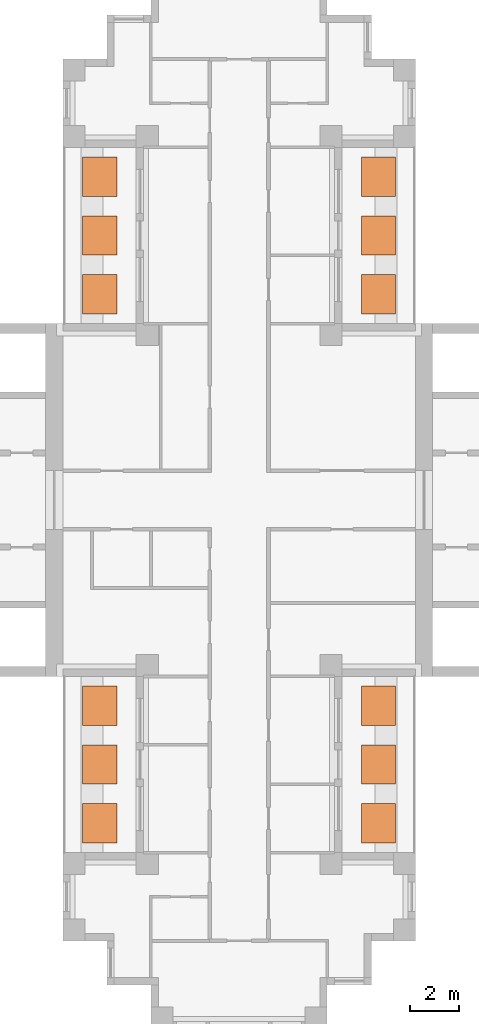
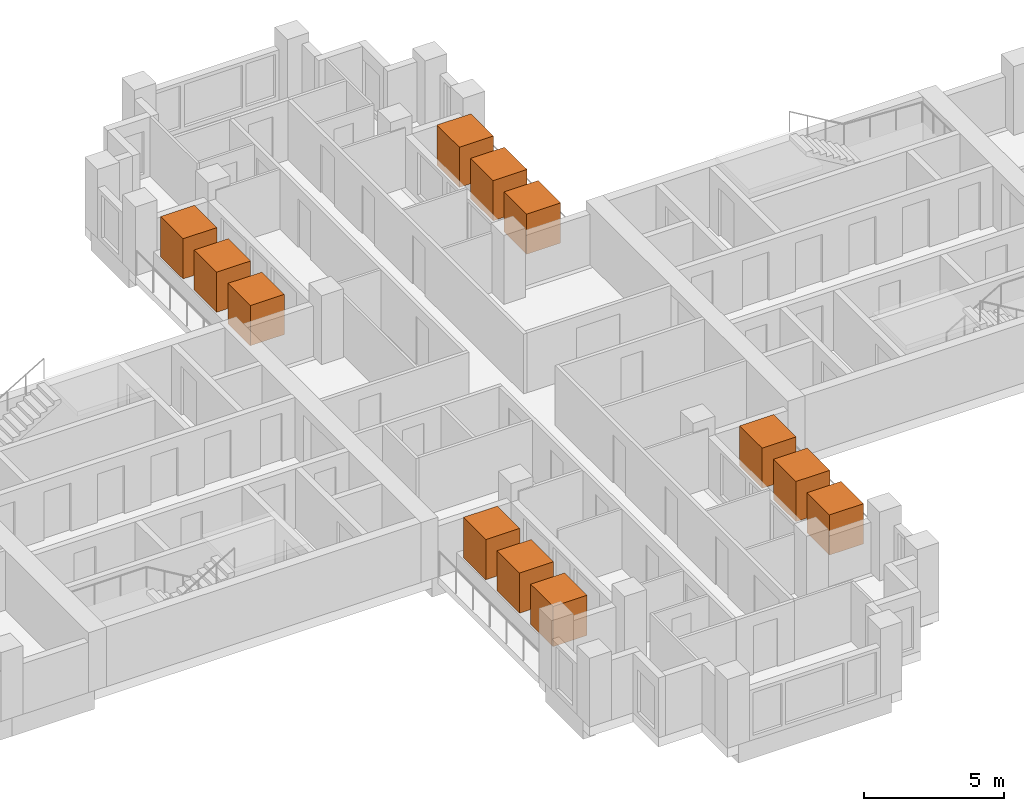
# One storey, part 11 of 11: 12 geographic elements.
"""IFC4 building model written with IfcOpenShell, lengths in metres."""

from ifc_helpers import new_model, si_unit, direction, frame, origin, origin_2d, place, context, subcontext, project, spatial, rectangle, extrude, material, element, save


model = new_model("IFC4")

# Units and contexts
model_context = context("Model", 3, precision=1e-05, world=origin(), true_north=direction((0.0, 1.0)))
body_context = subcontext(model_context, "Body", "Model", "MODEL_VIEW")
ifc_project = project(units=[si_unit("LENGTHUNIT", "METRE"), si_unit("AREAUNIT", "SQUARE_METRE"), si_unit("VOLUMEUNIT", "CUBIC_METRE"), si_unit("PLANEANGLEUNIT", "RADIAN"), si_unit("MASSUNIT", "GRAM", prefix="KILO")], contexts=[model_context])

# Site, building, storey
site_placement = place(None, origin())
site = spatial("IfcSite", under=ifc_project, at=site_placement, CompositionType="ELEMENT")
building_placement = place(site_placement, origin())
building = spatial("IfcBuilding", under=site, at=building_placement, Name="Fustian Cross Tower", CompositionType="ELEMENT")
storey_placement = place(building_placement, frame((0.0, 0.0, 170.699951171875)))
storey = spatial("IfcBuildingStorey", under=building, at=storey_placement, Name="L53", CompositionType="ELEMENT", Elevation=170.699951171875)

# Geographic elements
ifc_material = material(Name="Evergreen foliage")
for number, where, z_axis, x_axis, name in (
    (1, (5.68994140625, 8.39990234375, 0.800048828125), (0.0, 0.0, 1.0), (1.0, 0.0, 0.0), "TREE field maple"),
    (2, (5.68994140625, 10.800048828125, 0.800048828125), (0.0, 0.0, 1.0), (1.0, 0.0, 0.0), "TREE field maple"),
    (3, (5.68994140625, 13.199951171875, 0.800048828125), (0.0, 0.0, 1.0), (1.0, 0.0, 0.0), "TREE field maple"),
    (4, (-5.68994140625, 8.39990234375, 0.800048828125), (0.0, 0.0, 1.0), (1.0, 0.0, 0.0), "TREE field maple"),
    (5, (-5.68994140625, 10.800048828125, 0.800048828125), (0.0, 0.0, 1.0), (1.0, 0.0, 0.0), "TREE field maple"),
    (6, (-5.68994140625, 13.199951171875, 0.800048828125), (0.0, 0.0, 1.0), (1.0, 0.0, 0.0), "TREE field maple"),
    (7, (5.68994140625, -13.199951171875, 0.800048828125), (0.0, 0.0, 1.0), (1.0, 0.0, 0.0), "TREE field maple"),
    (8, (5.68994140625, -10.800048828125, 0.800048828125), (0.0, 0.0, 1.0), (1.0, 0.0, 0.0), "TREE field maple"),
    (9, (5.68994140625, -8.39990234375, 0.800048828125), (0.0, 0.0, 1.0), (1.0, 0.0, 0.0), "TREE field maple"),
    (10, (-5.68994140625, -13.199951171875, 0.800048828125), (0.0, 0.0, 1.0), (1.0, 0.0, 0.0), "TREE field maple"),
    (11, (-5.68994140625, -10.800048828125, 0.800048828125), (0.0, 0.0, 1.0), (1.0, 0.0, 0.0), "TREE field maple"),
    (12, (-5.68994140625, -8.39990234375, 0.800048828125), (0.0, 0.0, 1.0), (1.0, 0.0, 0.0), "TREE field maple"),
):
    element("IfcGeographicElement", number, at=place(storey_placement, frame(where, z_axis=z_axis, x_axis=x_axis)), inside=storey, material=ifc_material, Name=name, ObjectType="VEGETATION", PredefinedType="USERDEFINED", context=body_context, shape_type="SweptSolid", body=[
        extrude(rectangle(XDim=1.39990234375, YDim=1.60009765625, at=origin_2d()), origin(), (0.0, 0.0, 1.0), 1.75),
    ])

save(model, "model.ifc")
